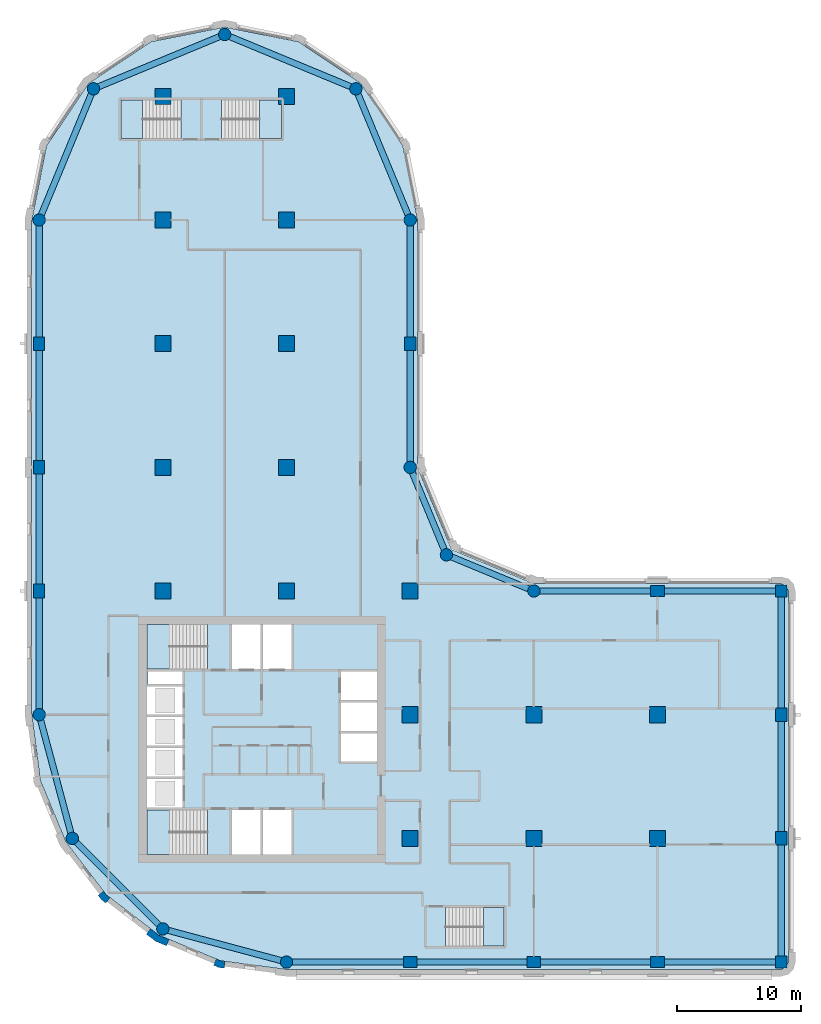
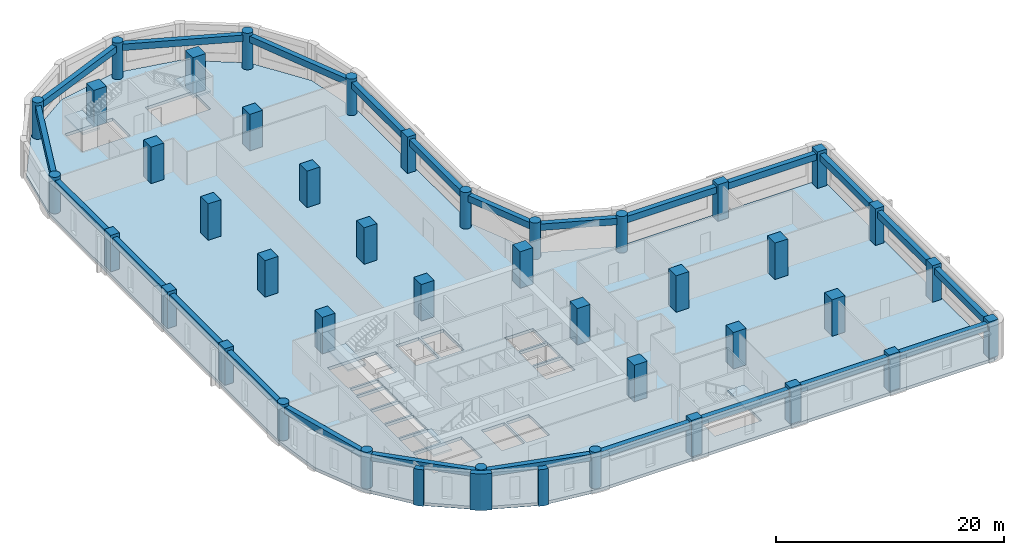
# One storey, part 1 of 9: 41 columns, 24 beams, 6 slabs, 3 walls, 5 elements without a shape of their own.
"""IFC4 building model written with IfcOpenShell, lengths in metres."""

from ifc_helpers import new_model, si_unit, direction, frame, origin, origin_2d, place, context, subcontext, project, spatial, polyline, rectangle, circle, outline, extrude, material, layer, layer_set, material_profile, profile_set, type_object, element, aggregate, save


model = new_model("IFC4")

# Units and contexts
model_context = context("Model", 3, precision=1e-05, world=origin(), true_north=direction((0.0, 1.0)))
body_context = subcontext(model_context, "Body", "Model", "MODEL_VIEW")
ifc_project = project(units=[si_unit("LENGTHUNIT", "METRE"), si_unit("AREAUNIT", "SQUARE_METRE"), si_unit("VOLUMEUNIT", "CUBIC_METRE"), si_unit("PLANEANGLEUNIT", "RADIAN"), si_unit("MASSUNIT", "GRAM", prefix="KILO")], contexts=[model_context])

# Site, building, storey
site_placement = place(None, origin())
site = spatial("IfcSite", under=ifc_project, at=site_placement, CompositionType="ELEMENT")
building_placement = place(site_placement, origin())
building = spatial("IfcBuilding", under=site, at=building_placement, Name="Qaws Garden Tower", CompositionType="ELEMENT")
storey_placement = place(building_placement, frame((0.0, 0.0, 217.5)))
storey = spatial("IfcBuildingStorey", under=building, at=storey_placement, Name="L53", CompositionType="ELEMENT", Elevation=217.5)

# Columns
ifc_material_1 = material(Name="Concrete C70", Category="concrete")
ifc_material_profile_1 = material_profile(ifc_material_1, rectangle(XDim=1.10009765625, YDim=0.89990234375, at=origin_2d()), Name="RC 1100x900")
ifc_profile_set_1 = profile_set([ifc_material_profile_1], Name="Concrete C70")
column_type_1 = type_object("IfcColumnType", Name="Column RC 1100x900 C70", PredefinedType="COLUMN", material=ifc_profile_set_1)
for number, where, z_axis, x_axis, name in (
    (1, (30.0, 0.0, 0.0), (0.0, 0.0, 1.0), (1.0, 0.0, 0.0), "Column L53-002"),
    (2, (40.0, 0.0, 0.0), (0.0, 0.0, 1.0), (1.0, 0.0, 0.0), "Column L53-003"),
    (3, (50.0, 0.0, 0.0), (0.0, 0.0, 1.0), (1.0, 0.0, 0.0), "Column L53-004"),
    (4, (60.0, 10.0, 0.0), (0.0, 0.0, 1.0), (0.0, 1.0, 0.0), "Column L53-006"),
    (5, (60.0, 20.0, 0.0), (0.0, 0.0, 1.0), (0.0, 1.0, 0.0), "Column L53-007"),
    (6, (50.0, 30.0, 0.0), (0.0, 0.0, 1.0), (1.0, 0.0, 0.0), "Column L53-009"),
    (7, (30.0, 50.0, 0.0), (0.0, 0.0, 1.0), (0.0, 1.0, 0.0), "Column L53-013"),
    (8, (0.0, 50.0, 0.0), (0.0, 0.0, 1.0), (0.0, 1.0, 0.0), "Column L53-019"),
    (9, (0.0, 40.0, 0.0), (0.0, 0.0, 1.0), (0.0, 1.0, 0.0), "Column L53-020"),
    (10, (0.0, 30.0, 0.0), (0.0, 0.0, 1.0), (0.0, 1.0, 0.0), "Column L53-021"),
):
    element("IfcColumn", number, at=place(storey_placement, frame(where, z_axis=z_axis, x_axis=x_axis)), inside=storey, type_object=column_type_1, Name=name, PredefinedType="COLUMN", context=body_context, shape_type="SweptSolid", body=[
        extrude(rectangle(XDim=1.10009765625, YDim=0.89990234375, at=origin_2d()), origin(), (0.0, 0.0, 1.0), 3.89990234375),
    ])
ifc_material_2 = material(Name="Concrete C70", Category="concrete")
ifc_material_profile_2 = material_profile(ifc_material_2, rectangle(XDim=1.300048828125, YDim=1.300048828125, at=origin_2d()), Name="RC 1300x1300")
ifc_profile_set_2 = profile_set([ifc_material_profile_2], Name="Concrete C70")
column_type_2 = type_object("IfcColumnType", Name="Column RC 1300x1300 C70", PredefinedType="COLUMN", material=ifc_profile_set_2)
for number, where, z_axis, x_axis, name in (
    (11, (10.0, 30.0, 0.0), (0.0, 0.0, 1.0), (1.0, 0.0, 0.0), "Column L53-025"),
    (12, (10.0, 40.0, 0.0), (0.0, 0.0, 1.0), (1.0, 0.0, 0.0), "Column L53-026"),
    (13, (10.0, 50.0, 0.0), (0.0, 0.0, 1.0), (1.0, 0.0, 0.0), "Column L53-027"),
    (14, (10.0, 60.0, 0.0), (0.0, 0.0, 1.0), (1.0, 0.0, 0.0), "Column L53-028"),
    (15, (10.0, 70.0, 0.0), (0.0, 0.0, 1.0), (1.0, 0.0, 0.0), "Column L53-029"),
    (16, (20.0, 30.0, 0.0), (0.0, 0.0, 1.0), (1.0, 0.0, 0.0), "Column L53-030"),
    (17, (20.0, 40.0, 0.0), (0.0, 0.0, 1.0), (1.0, 0.0, 0.0), "Column L53-031"),
    (18, (20.0, 50.0, 0.0), (0.0, 0.0, 1.0), (1.0, 0.0, 0.0), "Column L53-032"),
    (19, (20.0, 60.0, 0.0), (0.0, 0.0, 1.0), (1.0, 0.0, 0.0), "Column L53-033"),
    (20, (20.0, 70.0, 0.0), (0.0, 0.0, 1.0), (1.0, 0.0, 0.0), "Column L53-034"),
    (21, (30.0, 10.0, 0.0), (0.0, 0.0, 1.0), (1.0, 0.0, 0.0), "Column L53-035"),
    (22, (30.0, 20.0, 0.0), (0.0, 0.0, 1.0), (1.0, 0.0, 0.0), "Column L53-036"),
    (23, (30.0, 30.0, 0.0), (0.0, 0.0, 1.0), (1.0, 0.0, 0.0), "Column L53-037"),
    (24, (40.0, 10.0, 0.0), (0.0, 0.0, 1.0), (1.0, 0.0, 0.0), "Column L53-038"),
    (25, (40.0, 20.0, 0.0), (0.0, 0.0, 1.0), (1.0, 0.0, 0.0), "Column L53-039"),
    (26, (50.0, 10.0, 0.0), (0.0, 0.0, 1.0), (1.0, 0.0, 0.0), "Column L53-040"),
    (27, (50.0, 20.0, 0.0), (0.0, 0.0, 1.0), (1.0, 0.0, 0.0), "Column L53-041"),
):
    element("IfcColumn", number, at=place(storey_placement, frame(where, z_axis=z_axis, x_axis=x_axis)), inside=storey, type_object=column_type_2, Name=name, PredefinedType="COLUMN", context=body_context, shape_type="SweptSolid", body=[
        extrude(rectangle(XDim=1.300048828125, YDim=1.300048828125, at=origin_2d()), origin(), (0.0, 0.0, 1.0), 3.89990234375),
    ])
ifc_material_3 = material(Name="Concrete C70", Category="concrete")
ifc_material_profile_3 = material_profile(ifc_material_3, rectangle(XDim=0.949951171875, YDim=0.949951171875, at=origin_2d()), Name="RC 950x950")
ifc_profile_set_3 = profile_set([ifc_material_profile_3], Name="Concrete C70")
column_type_3 = type_object("IfcColumnType", Name="Column RC 950x950 C70", PredefinedType="COLUMN", material=ifc_profile_set_3)
for number, where, z_axis, x_axis, name in (
    (28, (60.0, 0.0, 0.0), (0.0, 0.0, 1.0), (1.0, 0.0, 0.0), "Column L53-005"),
    (29, (60.0, 30.0, 0.0), (0.0, 0.0, 1.0), (1.0, 0.0, 0.0), "Column L53-008"),
):
    element("IfcColumn", number, at=place(storey_placement, frame(where, z_axis=z_axis, x_axis=x_axis)), inside=storey, type_object=column_type_3, Name=name, PredefinedType="COLUMN", context=body_context, shape_type="SweptSolid", body=[
        extrude(rectangle(XDim=0.949951171875, YDim=0.949951171875, at=origin_2d()), origin(), (0.0, 0.0, 1.0), 3.89990234375),
    ])
ifc_material_4 = material(Name="Concrete C70", Category="concrete")
ifc_material_profile_4 = material_profile(ifc_material_4, circle(Radius=0.5, at=origin_2d()), Name="RC D1000")
ifc_profile_set_4 = profile_set([ifc_material_profile_4], Name="Concrete C70")
column_type_4 = type_object("IfcColumnType", Name="Column RC D1000 C70", PredefinedType="COLUMN", material=ifc_profile_set_4)
for number, where, z_axis, x_axis, name in (
    (30, (20.0, 0.0, 0.0), (0.0, 0.0, 1.0), (1.0, 0.0, 0.0), "Column L53-001"),
    (31, (40.0, 30.0, 0.0), (0.0, 0.0, 1.0), (1.0, 0.0, 0.0), "Column L53-010"),
    (32, (32.928955078125, 32.928955078125, 0.0), (0.0, 0.0, 1.0), (1.0, 0.0, 0.0), "Column L53-011"),
    (33, (30.0, 40.0, 0.0), (0.0, 0.0, 1.0), (1.0, 0.0, 0.0), "Column L53-012"),
    (34, (30.0, 60.0, 0.0), (0.0, 0.0, 1.0), (1.0, 0.0, 0.0), "Column L53-014"),
    (35, (25.606689453125, 70.606689453125, 0.0), (0.0, 0.0, 1.0), (1.0, 0.0, 0.0), "Column L53-015"),
    (36, (15.0, 75.0, 0.0), (0.0, 0.0, 1.0), (1.0, 0.0, 0.0), "Column L53-016"),
    (37, (4.393310546875, 70.606689453125, 0.0), (0.0, 0.0, 1.0), (1.0, 0.0, 0.0), "Column L53-017"),
    (38, (0.0, 60.0, 0.0), (0.0, 0.0, 1.0), (1.0, 0.0, 0.0), "Column L53-018"),
    (39, (0.0, 20.0, 0.0), (0.0, 0.0, 1.0), (1.0, 0.0, 0.0), "Column L53-022"),
    (40, (2.679443359375, 10.0, 0.0), (0.0, 0.0, 1.0), (1.0, 0.0, 0.0), "Column L53-023"),
    (41, (10.0, 2.679443359375, 0.0), (0.0, 0.0, 1.0), (1.0, 0.0, 0.0), "Column L53-024"),
):
    element("IfcColumn", number, at=place(storey_placement, frame(where, z_axis=z_axis, x_axis=x_axis)), inside=storey, type_object=column_type_4, Name=name, PredefinedType="COLUMN", context=body_context, shape_type="SweptSolid", body=[
        extrude(circle(Radius=0.5, at=origin_2d()), origin(), (0.0, 0.0, 1.0), 3.89990234375),
    ])

# Beams
ifc_material_5 = material(Name="Concrete C45", Category="concrete")
ifc_material_profile_5 = material_profile(ifc_material_5, rectangle(XDim=0.5, YDim=0.699951171875, at=origin_2d()), Name="RC 500x700")
ifc_profile_set_5 = profile_set([ifc_material_profile_5], Name="Concrete C45")
beam_type = type_object("IfcBeamType", Name="Spandrel beam RC 500x700 C45", PredefinedType="SPANDREL", material=ifc_profile_set_5)
for number, where, z_axis, x_axis, name in (
    (42, (20.0, 0.0, 3.22998046875), (1.0, 0.0, 0.0), (0.0, 1.0, 0.0), "Spandrel beam L53-001"),
    (43, (30.0, 0.0, 3.22998046875), (1.0, 0.0, 0.0), (0.0, 1.0, 0.0), "Spandrel beam L53-002"),
    (44, (40.0, 0.0, 3.22998046875), (1.0, 0.0, 0.0), (0.0, 1.0, 0.0), "Spandrel beam L53-003"),
    (45, (50.0, 0.0, 3.22998046875), (1.0, 0.0, 0.0), (0.0, 1.0, 0.0), "Spandrel beam L53-004"),
    (46, (60.0, 0.0, 3.22998046875), (0.0, 1.0, 0.0), (-1.0, 0.0, 0.0), "Spandrel beam L53-005"),
    (47, (60.0, 10.0, 3.22998046875), (0.0, 1.0, 0.0), (-1.0, 0.0, 0.0), "Spandrel beam L53-006"),
    (48, (60.0, 20.0, 3.22998046875), (0.0, 1.0, 0.0), (-1.0, 0.0, 0.0), "Spandrel beam L53-007"),
    (49, (60.0, 30.0, 3.22998046875), (-1.0, 0.0, 0.0), (0.0, -1.0, 0.0), "Spandrel beam L53-008"),
    (50, (50.0, 30.0, 3.22998046875), (-1.0, 0.0, 0.0), (0.0, -1.0, 0.0), "Spandrel beam L53-009"),
):
    element("IfcBeam", number, at=place(storey_placement, frame(where, z_axis=z_axis, x_axis=x_axis)), inside=storey, type_object=beam_type, Name=name, PredefinedType="SPANDREL", context=body_context, shape_type="SweptSolid", body=[
        extrude(rectangle(XDim=0.5, YDim=0.699951171875, at=origin_2d()), origin(), (0.0, 0.0, 1.0), 10.0),
    ])
for number, where, z_axis, x_axis, name in (
    (51, (40.0, 30.0, 3.22998046875), (-0.923878037141, 0.382687042488, 0.0), (-0.382687042488, -0.923878037141, 0.0), "Spandrel beam L53-010"),
    (52, (32.928955078125, 32.928955078125, 3.22998046875), (-0.382687042488, 0.923878037141, 0.0), (-0.923878037141, -0.382687042488, 0.0), "Spandrel beam L53-011"),
):
    element("IfcBeam", number, at=place(storey_placement, frame(where, z_axis=z_axis, x_axis=x_axis)), inside=storey, type_object=beam_type, Name=name, PredefinedType="SPANDREL", context=body_context, shape_type="SweptSolid", body=[
        extrude(rectangle(XDim=0.5, YDim=0.699951171875, at=origin_2d()), origin(), (0.0, 0.0, 1.0), 7.653564453125),
    ])
for number, where, z_axis, x_axis, name in (
    (53, (30.0, 40.0, 3.22998046875), (0.0, 1.0, 0.0), (-1.0, 0.0, 0.0), "Spandrel beam L53-012"),
    (54, (30.0, 50.0, 3.22998046875), (0.0, 1.0, 0.0), (-1.0, 0.0, 0.0), "Spandrel beam L53-013"),
):
    element("IfcBeam", number, at=place(storey_placement, frame(where, z_axis=z_axis, x_axis=x_axis)), inside=storey, type_object=beam_type, Name=name, PredefinedType="SPANDREL", context=body_context, shape_type="SweptSolid", body=[
        extrude(rectangle(XDim=0.5, YDim=0.699951171875, at=origin_2d()), origin(), (0.0, 0.0, 1.0), 10.0),
    ])
for number, where, z_axis, x_axis, name in (
    (55, (30.0, 60.0, 3.22998046875), (-0.382674207535, 0.923883353507, 0.0), (-0.923883353507, -0.382674207535, 0.0), "Spandrel beam L53-014"),
    (56, (25.606689453125, 70.606689453125, 3.22998046875), (-0.923883353507, 0.382674207535, 0.0), (-0.382674207535, -0.923883353507, 0.0), "Spandrel beam L53-015"),
    (57, (15.0, 75.0, 3.22998046875), (-0.923883353507, -0.382674207535, 0.0), (0.382674207535, -0.923883353507, 0.0), "Spandrel beam L53-016"),
    (58, (4.393310546875, 70.606689453125, 3.22998046875), (-0.382674207535, -0.923883353507, 0.0), (0.923883353507, -0.382674207535, 0.0), "Spandrel beam L53-017"),
):
    element("IfcBeam", number, at=place(storey_placement, frame(where, z_axis=z_axis, x_axis=x_axis)), inside=storey, type_object=beam_type, Name=name, PredefinedType="SPANDREL", context=body_context, shape_type="SweptSolid", body=[
        extrude(rectangle(XDim=0.5, YDim=0.699951171875, at=origin_2d()), origin(), (0.0, 0.0, 1.0), 11.48046875),
    ])
for number, where, z_axis, x_axis, name in (
    (59, (0.0, 60.0, 3.22998046875), (0.0, -1.0, 0.0), (1.0, 0.0, 0.0), "Spandrel beam L53-018"),
    (60, (0.0, 50.0, 3.22998046875), (0.0, -1.0, 0.0), (1.0, 0.0, 0.0), "Spandrel beam L53-019"),
    (61, (0.0, 40.0, 3.22998046875), (0.0, -1.0, 0.0), (1.0, 0.0, 0.0), "Spandrel beam L53-020"),
    (62, (0.0, 30.0, 3.22998046875), (0.0, -1.0, 0.0), (1.0, 0.0, 0.0), "Spandrel beam L53-021"),
):
    element("IfcBeam", number, at=place(storey_placement, frame(where, z_axis=z_axis, x_axis=x_axis)), inside=storey, type_object=beam_type, Name=name, PredefinedType="SPANDREL", context=body_context, shape_type="SweptSolid", body=[
        extrude(rectangle(XDim=0.5, YDim=0.699951171875, at=origin_2d()), origin(), (0.0, 0.0, 1.0), 10.0),
    ])
for number, where, z_axis, x_axis, name in (
    (63, (0.0, 20.0, 3.22998046875), (0.25881466832, -0.965926999034, 0.0), (0.965926999034, 0.25881466832, 0.0), "Spandrel beam L53-022"),
    (64, (2.679443359375, 10.0, 3.22998046875), (0.707106781187, -0.707106781187, 0.0), (0.707106781187, 0.707106781187, 0.0), "Spandrel beam L53-023"),
    (65, (10.0, 2.679443359375, 3.22998046875), (0.965926999034, -0.25881466832, 0.0), (0.25881466832, 0.965926999034, 0.0), "Spandrel beam L53-024"),
):
    element("IfcBeam", number, at=place(storey_placement, frame(where, z_axis=z_axis, x_axis=x_axis)), inside=storey, type_object=beam_type, Name=name, PredefinedType="SPANDREL", context=body_context, shape_type="SweptSolid", body=[
        extrude(rectangle(XDim=0.5, YDim=0.699951171875, at=origin_2d()), origin(), (0.0, 0.0, 1.0), 10.352783203125),
    ])

# Slab
ifc_material_6 = material(Name="Concrete C40", Category="concrete")
ifc_layer_1 = layer(ifc_material_6, 0.320068359375)
ifc_layer_set_1 = layer_set([ifc_layer_1], Name="Concrete C40")
slab_type_1 = type_object("IfcSlabType", Name="Floor slab 320 C40", PredefinedType="FLOOR", material=ifc_layer_set_1)
slab_1_placement = place(storey_placement, frame((0.0, 0.0, -0.320068359375)))
element("IfcSlab", 66, at=slab_1_placement, inside=storey, type_object=slab_type_1, Name="Floor slab L53", PredefinedType="FLOOR", context=body_context, shape_type="SweptSolid", body=[
    extrude(outline(polyline([(0.101806640625, 14.668212890625), (-0.60009765625, 20.0), (-0.60009765625, 30.60009765625), (-0.60009765625, 60.0), (-0.60009765625, 60.0), (0.58740234375, 65.969970703125), (3.968994140625, 71.031005859375), (9.030029296875, 74.41259765625), (15.0, 75.60009765625), (20.969970703125, 74.41259765625), (26.031005859375, 71.031005859375), (29.41259765625, 65.969970703125), (30.60009765625, 60.0), (30.60009765625, 40.0), (33.353271484375, 33.353271484375), (40.0, 30.60009765625), (60.0, 30.60009765625), (60.42431640625, 30.42431640625), (60.60009765625, 30.0), (60.60009765625, 0.0), (60.42431640625, -0.42431640625), (60.0, -0.60009765625), (30.60009765625, -0.60009765625), (20.0, -0.60009765625), (14.668212890625, 0.101806640625), (9.699951171875, 2.159912109375), (5.43359375, 5.43359375), (2.159912109375, 9.699951171875), (0.101806640625, 14.668212890625)]), holes=[polyline([(13.599609375, 12.300048828125), (8.699951171875, 12.300048828125), (8.699951171875, 8.699951171875), (13.599609375, 8.699951171875), (13.599609375, 12.300048828125)]), polyline([(17.89990234375, 12.300048828125), (15.60009765625, 12.300048828125), (15.60009765625, 8.699951171875), (17.89990234375, 8.699951171875), (17.89990234375, 12.300048828125)]), polyline([(11.60009765625, 14.800048828125), (8.699951171875, 14.800048828125), (8.699951171875, 12.5), (11.60009765625, 12.5), (11.60009765625, 14.800048828125)]), polyline([(11.60009765625, 17.300048828125), (8.699951171875, 17.300048828125), (8.699951171875, 15.0), (11.60009765625, 15.0), (11.60009765625, 17.300048828125)]), polyline([(11.60009765625, 19.800048828125), (8.699951171875, 19.800048828125), (8.699951171875, 17.5), (11.60009765625, 17.5), (11.60009765625, 19.800048828125)]), polyline([(11.60009765625, 22.300048828125), (8.699951171875, 22.300048828125), (8.699951171875, 20.0), (11.60009765625, 20.0), (11.60009765625, 22.300048828125)]), polyline([(11.60009765625, 23.5), (8.800048828125, 23.5), (8.800048828125, 22.5), (11.60009765625, 22.5), (11.60009765625, 23.5)]), polyline([(13.599609375, 27.300048828125), (8.699951171875, 27.300048828125), (8.699951171875, 23.699951171875), (13.599609375, 23.699951171875), (13.599609375, 27.300048828125)]), polyline([(11.449462890625, 69.699951171875), (6.60009765625, 69.699951171875), (6.60009765625, 66.60009765625), (11.449462890625, 66.60009765625), (11.449462890625, 69.699951171875)]), polyline([(37.60009765625, 4.39990234375), (32.8505859375, 4.39990234375), (32.8505859375, 1.300048828125), (37.60009765625, 1.300048828125), (37.60009765625, 4.39990234375)]), polyline([(20.39990234375, 12.300048828125), (18.10009765625, 12.300048828125), (18.10009765625, 8.699951171875), (20.39990234375, 8.699951171875), (20.39990234375, 12.300048828125)]), polyline([(27.300048828125, 18.5), (24.39990234375, 18.5), (24.39990234375, 16.199951171875), (27.300048828125, 16.199951171875), (27.300048828125, 18.5)]), polyline([(27.300048828125, 21.0), (24.39990234375, 21.0), (24.39990234375, 18.699951171875), (27.300048828125, 18.699951171875), (27.300048828125, 21.0)]), polyline([(27.300048828125, 23.5), (24.39990234375, 23.5), (24.39990234375, 21.199951171875), (27.300048828125, 21.199951171875), (27.300048828125, 23.5)]), polyline([(17.89990234375, 27.300048828125), (15.60009765625, 27.300048828125), (15.60009765625, 23.699951171875), (17.89990234375, 23.699951171875), (17.89990234375, 27.300048828125)]), polyline([(20.39990234375, 23.699951171875), (20.39990234375, 27.300048828125), (18.10009765625, 27.300048828125), (18.10009765625, 23.699951171875), (20.39990234375, 23.699951171875)]), polyline([(19.60009765625, 66.60009765625), (19.60009765625, 69.699951171875), (14.75048828125, 69.699951171875), (14.75048828125, 66.60009765625), (19.60009765625, 66.60009765625)])]), origin(), (0.0, 0.0, 1.0), 0.320068359375),
])

# Stair, slab
ifc_material_7 = material(Name="Concrete C40", Category="concrete")
stair_type_1 = type_object("IfcStairType", Name="Exit stair 1500", PredefinedType="HALF_TURN_STAIR", material=ifc_material_7)
placement_1 = place(storey_placement, origin())
stair_1 = element("IfcStair", 67, at=placement_1, inside=storey, type_object=stair_type_1, Name="Stair 1", PredefinedType="HALF_TURN_STAIR")
ifc_material_8 = material(Name="Concrete C40", Category="concrete")
ifc_layer_2 = layer(ifc_material_8, 0.199951171875)
ifc_layer_set_2 = layer_set([ifc_layer_2], Name="Concrete C40")
slab_type_2 = type_object("IfcSlabType", Name="Stair landing 200", PredefinedType="LANDING", material=ifc_layer_set_2)
placement_2 = place(storey_placement, frame((0.0, 0.0, 1.75)))
slab_2 = element("IfcSlab", 68, at=placement_2, type_object=slab_type_2, Name="ST1 landing 1", PredefinedType="LANDING", context=body_context, shape_type="SweptSolid", body=[
    extrude(outline(polyline([(8.699951171875, 8.699951171875), (10.52001953125, 8.699951171875), (10.52001953125, 12.300048828125), (8.699951171875, 12.300048828125), (8.699951171875, 8.699951171875)])), origin(), (0.0, 0.0, 1.0), 0.199951171875),
])
aggregate(stair_1, [slab_2])

stair_2 = element("IfcStair", 69, at=placement_1, inside=storey, type_object=stair_type_1, Name="Stair 4", PredefinedType="HALF_TURN_STAIR")
slab_3 = element("IfcSlab", 70, at=placement_2, type_object=slab_type_2, Name="ST4 landing 1", PredefinedType="LANDING", context=body_context, shape_type="SweptSolid", body=[
    extrude(outline(polyline([(8.699951171875, 23.699951171875), (10.52001953125, 23.699951171875), (10.52001953125, 27.300048828125), (8.699951171875, 27.300048828125), (8.699951171875, 23.699951171875)])), origin(), (0.0, 0.0, 1.0), 0.199951171875),
])
aggregate(stair_2, [slab_3])

ifc_material_9 = material(Name="Concrete C40", Category="concrete")
stair_type_2 = type_object("IfcStairType", Name="Exit stair 1350", PredefinedType="HALF_TURN_STAIR", material=ifc_material_9)
stair_3 = element("IfcStair", 71, at=placement_1, inside=storey, type_object=stair_type_2, Name="Stair 5", PredefinedType="HALF_TURN_STAIR")
slab_4 = element("IfcSlab", 72, at=placement_2, type_object=slab_type_2, Name="ST5 landing 1", PredefinedType="LANDING", context=body_context, shape_type="SweptSolid", body=[
    extrude(outline(polyline([(35.929931640625, 1.300048828125), (37.60009765625, 1.300048828125), (37.60009765625, 4.39990234375), (35.929931640625, 4.39990234375), (35.929931640625, 1.300048828125)])), origin(), (0.0, 0.0, 1.0), 0.199951171875),
])
aggregate(stair_3, [slab_4])

stair_4 = element("IfcStair", 73, at=placement_1, inside=storey, type_object=stair_type_2, Name="Stair 6", PredefinedType="HALF_TURN_STAIR")
slab_5 = element("IfcSlab", 74, at=placement_2, type_object=slab_type_2, Name="ST6 landing 1", PredefinedType="LANDING", context=body_context, shape_type="SweptSolid", body=[
    extrude(outline(polyline([(6.60009765625, 66.60009765625), (8.3701171875, 66.60009765625), (8.3701171875, 69.699951171875), (6.60009765625, 69.699951171875), (6.60009765625, 66.60009765625)])), origin(), (0.0, 0.0, 1.0), 0.199951171875),
])
aggregate(stair_4, [slab_5])

stair_5 = element("IfcStair", 75, at=placement_1, inside=storey, type_object=stair_type_2, Name="Stair 7", PredefinedType="HALF_TURN_STAIR")
slab_6 = element("IfcSlab", 76, at=placement_2, type_object=slab_type_2, Name="ST7 landing 1", PredefinedType="LANDING", context=body_context, shape_type="SweptSolid", body=[
    extrude(outline(polyline([(17.830078125, 66.60009765625), (19.60009765625, 66.60009765625), (19.60009765625, 69.699951171875), (17.830078125, 69.699951171875), (17.830078125, 66.60009765625)])), origin(), (0.0, 0.0, 1.0), 0.199951171875),
])
aggregate(stair_5, [slab_6])

# Walls
ifc_material_10 = material(Name="Clay facing brick masonry", Category="masonry")
ifc_layer_3 = layer(ifc_material_10, 0.550048828125)
ifc_layer_set_3 = layer_set([ifc_layer_3], Name="Clay facing brick masonry")
wall_type_1 = type_object("IfcWallType", Name="Brick kink pier 550 x 600", PredefinedType="SOLIDWALL", material=ifc_layer_set_3)
element("IfcWall", 77, at=placement_1, inside=storey, type_object=wall_type_1, Name="E-L53-pier-28", PredefinedType="SOLIDWALL", context=body_context, shape_type="SweptSolid", body=[
    extrude(outline(polyline([(4.8818359375, 5.487060546875), (4.762939453125, 5.395751953125), (5.03759765625, 5.03759765625), (5.395751953125, 4.762939453125), (5.487060546875, 4.8818359375), (5.730712890625, 5.19921875), (5.429931640625, 5.429931640625), (5.19921875, 5.730712890625), (4.8818359375, 5.487060546875)])), origin(), (0.0, 0.0, 1.0), 3.89990234375),
])
element("IfcWall", 78, at=placement_1, inside=storey, type_object=wall_type_1, Name="E-L53-pier-30", PredefinedType="SOLIDWALL", context=body_context, shape_type="SweptSolid", body=[
    extrude(outline(polyline([(14.163818359375, -0.127685546875), (14.1064453125, -0.26611328125), (14.5234375, -0.43896484375), (14.970947265625, -0.497802734375), (14.990478515625, -0.34912109375), (15.042724609375, 0.04736328125), (14.6669921875, 0.096923828125), (14.31689453125, 0.241943359375), (14.163818359375, -0.127685546875)])), origin(), (0.0, 0.0, 1.0), 3.89990234375),
])
ifc_material_11 = material(Name="Clay facing brick masonry", Category="masonry")
ifc_layer_4 = layer(ifc_material_11, 0.550048828125)
ifc_layer_set_4 = layer_set([ifc_layer_4], Name="Clay facing brick masonry")
wall_type_2 = type_object("IfcWallType", Name="Brick pier 550 x 1600", PredefinedType="SOLIDWALL", material=ifc_layer_set_4)
element("IfcWall", 79, at=placement_1, inside=storey, type_object=wall_type_2, Name="E-L53-pier-29", PredefinedType="SOLIDWALL", context=body_context, shape_type="SweptSolid", body=[
    extrude(outline(polyline([(8.756591796875, 2.373046875), (8.665283203125, 2.254150390625), (9.419921875, 1.675048828125), (10.299072265625, 1.310791015625), (10.3564453125, 1.449462890625), (10.509521484375, 1.819091796875), (9.697509765625, 2.1552734375), (9.0, 2.6904296875), (8.756591796875, 2.373046875)])), origin(), (0.0, 0.0, 1.0), 3.89990234375),
])

save(model, "model.ifc")
